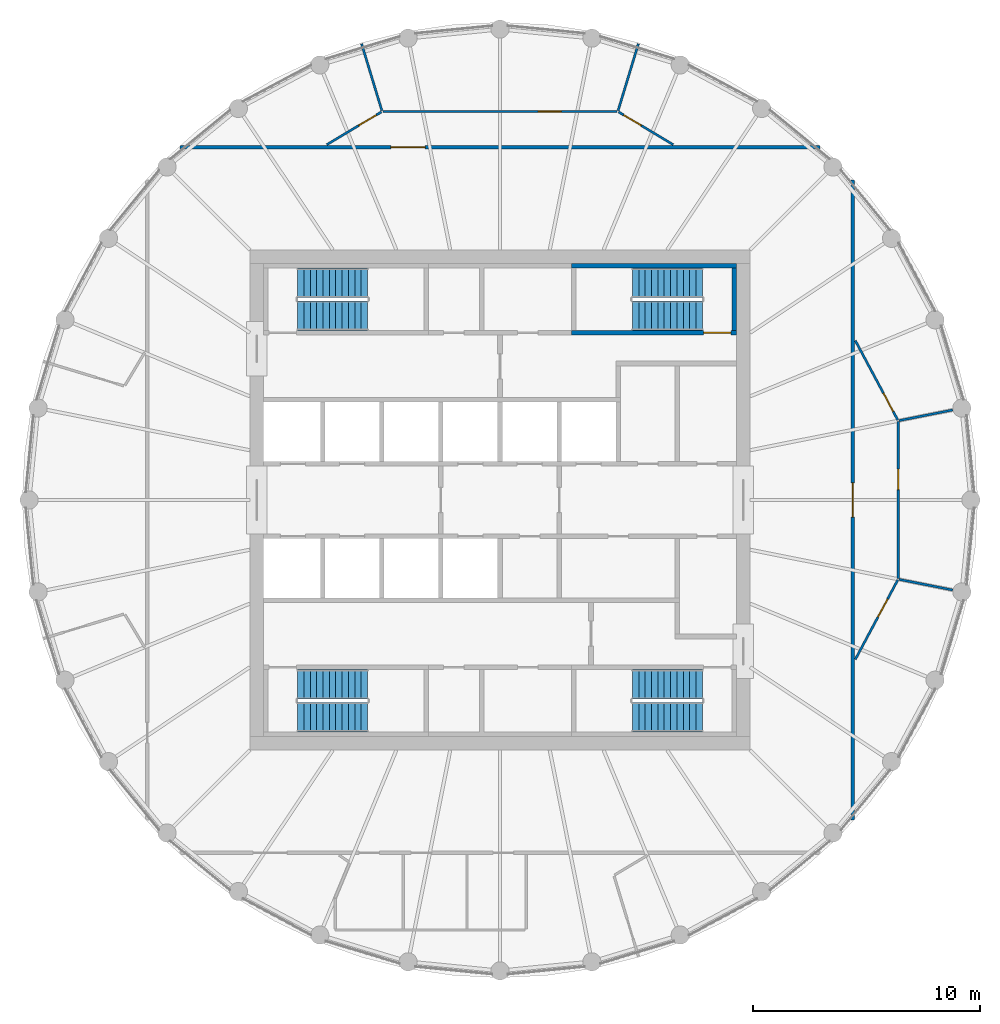
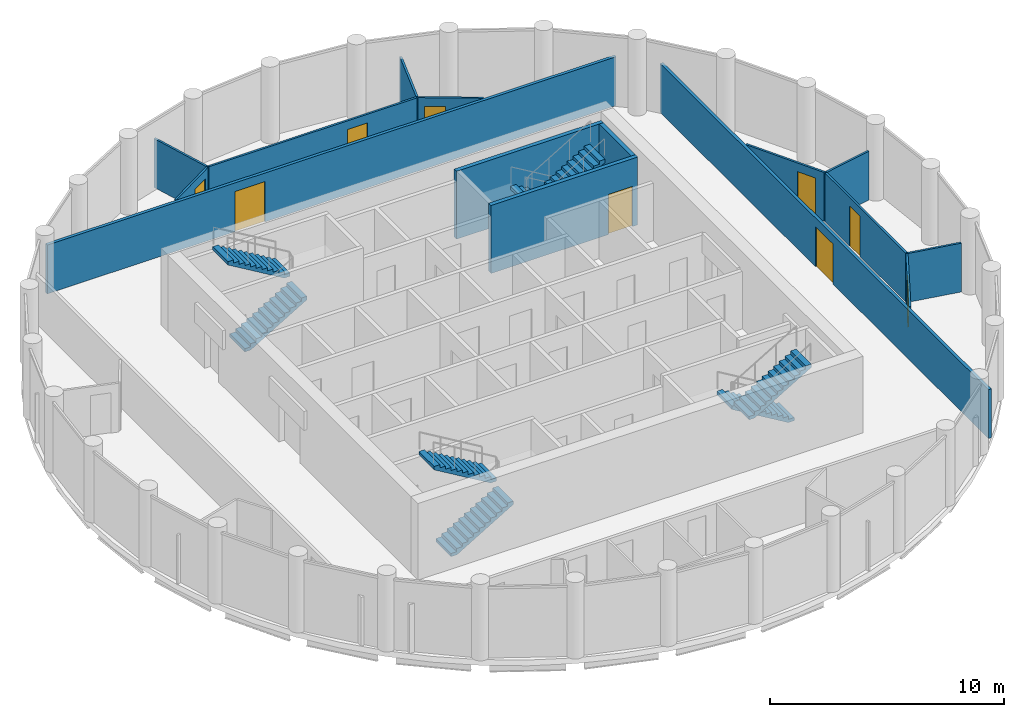
# One storey, part 6 of 7: 15 walls, 9 doors, 8 stair flights, 9 openings, 4 elements without a shape of their own.
"""IFC4 building model written with IfcOpenShell, lengths in metres."""

from ifc_helpers import new_model, si_unit, direction, frame, frame_2d, origin, place, context, subcontext, project, spatial, polyline, rectangle, outline, extrude, material, layer, layer_set, type_object, element, fill, aggregate, save


model = new_model("IFC4")

# Units and contexts
model_context = context("Model", 3, precision=1e-05, world=origin(), true_north=direction((0.0, 1.0)))
body_context = subcontext(model_context, "Body", "Model", "MODEL_VIEW")
ifc_project = project(units=[si_unit("LENGTHUNIT", "METRE"), si_unit("AREAUNIT", "SQUARE_METRE"), si_unit("VOLUMEUNIT", "CUBIC_METRE"), si_unit("PLANEANGLEUNIT", "RADIAN"), si_unit("MASSUNIT", "GRAM", prefix="KILO")], contexts=[model_context])

# Site, building, storey
site_placement = place(None, origin())
site = spatial("IfcSite", under=ifc_project, at=site_placement, CompositionType="ELEMENT")
building_placement = place(site_placement, origin())
building = spatial("IfcBuilding", under=site, at=building_placement, Name="Corvane Civic Tower", CompositionType="ELEMENT")
storey_placement = place(building_placement, frame((0.0, 0.0, 376.5)))
storey = spatial("IfcBuildingStorey", under=building, at=storey_placement, Name="L90", CompositionType="ELEMENT", Elevation=376.5)

# Wall, opening, door
ifc_material_1 = material(Name="Plasterboard")
ifc_layer_1 = layer(ifc_material_1, 0.10009765625)
ifc_layer_set_1 = layer_set([ifc_layer_1], Name="Plasterboard")
wall_type_1 = type_object("IfcWallType", Name="Partition 100 plasterboard on studs", PredefinedType="PARTITIONING", material=ifc_layer_set_1)
wall_1_placement = place(storey_placement, frame((15.619140625, -7.007080078125, 0.0), z_axis=(0.0, 0.0, 1.0), x_axis=(0.471410339005, 0.881913993697, 0.0)))
wall_1 = element("IfcWall", 1, at=wall_1_placement, inside=storey, type_object=wall_type_1, Name="Partition L90.013", PredefinedType="PARTITIONING", context=body_context, shape_type="SweptSolid", body=[
    extrude(rectangle(XDim=3.96044921875, YDim=0.10009765625, at=frame_2d((1.980224609375, 0.0))), origin(), (0.0, 0.0, 1.0), 2.550048828125),
])
opening_1_placement = place(wall_1_placement, frame((2.110107421875, 0.0, 0.0)))
opening_1 = element("IfcOpeningElement", 2, at=opening_1_placement, cuts=wall_1, Name="Opening L90.007", PredefinedType="OPENING", context=body_context, shape_type="SweptSolid", body=[
    extrude(rectangle(XDim=0.89990234375, YDim=2.10009765625, at=frame_2d((0.449951171875, 1.050048828125))), frame((0.0, 0.06005859375, 0.0), z_axis=(0.0, -1.0, 0.0), x_axis=(1.0, 0.0, 0.0)), (0.0, 0.0, 1.0), 0.1201171875),
])
ifc_material_2 = material(Name="Timber", Category="wood")
door_type_1 = type_object("IfcDoorType", Name="Single door 900", OperationType="NOTDEFINED", PredefinedType="DOOR", material=ifc_material_2)
door_1_placement = place(opening_1_placement, frame((0.89990234375, 0.0, 0.0), z_axis=(0.0, 0.0, 1.0), x_axis=(-1.0, 0.0, 0.0)))
door_1 = element("IfcDoor", 3, at=door_1_placement, inside=storey, type_object=door_type_1, Name="Door L90.007", OperationType="SINGLE_SWING_LEFT", OverallHeight=2.10009765625, OverallWidth=0.89990234375, PredefinedType="DOOR", context=body_context, shape_type="SweptSolid", body=[
    extrude(rectangle(XDim=0.89990234375, YDim=2.10009765625, at=frame_2d((0.449951171875, 1.050048828125))), frame((0.0, 0.02490234375, 0.0), z_axis=(0.0, -1.0, 0.0), x_axis=(1.0, 0.0, 0.0)), (0.0, 0.0, 1.0), 0.050048828125),
])
fill(opening_1, door_1)

# Wall
wall_2_placement = place(storey_placement, frame((17.543701171875, -3.48974609375, 0.0), z_axis=(0.0, 0.0, 1.0), x_axis=(0.980783378237, -0.195099884606, 0.0)))
element("IfcWall", 4, at=wall_2_placement, inside=storey, type_object=wall_type_1, Name="Partition L90.016", PredefinedType="PARTITIONING", context=body_context, shape_type="SweptSolid", body=[
    extrude(rectangle(XDim=2.402587890625, YDim=0.10009765625, at=frame_2d((1.201171875, 0.0))), origin(), (0.0, 0.0, 1.0), 2.550048828125),
])

# Wall, opening, door
wall_3_placement = place(storey_placement, frame((17.503662109375, -3.440673828125, 0.0), z_axis=(0.0, 0.0, 1.0), x_axis=(0.0, 1.0, 0.0)))
wall_3 = element("IfcWall", 5, at=wall_3_placement, inside=storey, type_object=wall_type_1, Name="Partition L90.017", PredefinedType="PARTITIONING", context=body_context, shape_type="SweptSolid", body=[
    extrude(rectangle(XDim=6.88134765625, YDim=0.10009765625, at=frame_2d((3.440673828125, 0.0))), origin(), (0.0, 0.0, 1.0), 2.550048828125),
])
opening_2_placement = place(wall_3_placement, frame((3.8974609375, 0.0, 0.0)))
opening_2 = element("IfcOpeningElement", 6, at=opening_2_placement, cuts=wall_3, Name="Opening L90.006", PredefinedType="OPENING", context=body_context, shape_type="SweptSolid", body=[
    extrude(rectangle(XDim=0.89990234375, YDim=2.10009765625, at=frame_2d((0.449951171875, 1.050048828125))), frame((0.0, 0.06005859375, 0.0), z_axis=(0.0, -1.0, 0.0), x_axis=(1.0, 0.0, 0.0)), (0.0, 0.0, 1.0), 0.1201171875),
])
door_2_placement = place(opening_2_placement, frame((0.89990234375, 0.0, 0.0), z_axis=(0.0, 0.0, 1.0), x_axis=(-1.0, 0.0, 0.0)))
door_2 = element("IfcDoor", 7, at=door_2_placement, inside=storey, type_object=door_type_1, Name="Door L90.006", OperationType="SINGLE_SWING_RIGHT", OverallHeight=2.10009765625, OverallWidth=0.89990234375, PredefinedType="DOOR", context=body_context, shape_type="SweptSolid", body=[
    extrude(rectangle(XDim=0.89990234375, YDim=2.10009765625, at=frame_2d((0.449951171875, 1.050048828125))), frame((0.0, 0.02490234375, 0.0), z_axis=(0.0, -1.0, 0.0), x_axis=(1.0, 0.0, 0.0)), (0.0, 0.0, 1.0), 0.050048828125),
])
fill(opening_2, door_2)

# Wall
wall_4_placement = place(storey_placement, frame((17.543701171875, 3.48974609375, 0.0), z_axis=(0.0, 0.0, 1.0), x_axis=(0.980783378237, 0.195099884606, 0.0)))
element("IfcWall", 8, at=wall_4_placement, inside=storey, type_object=wall_type_1, Name="Partition L90.018", PredefinedType="PARTITIONING", context=body_context, shape_type="SweptSolid", body=[
    extrude(rectangle(XDim=2.402587890625, YDim=0.10009765625, at=frame_2d((1.201171875, 0.0))), origin(), (0.0, 0.0, 1.0), 2.550048828125),
])

# Wall, opening, door
wall_5_placement = place(storey_placement, frame((15.619140625, 7.007080078125, 0.0), z_axis=(0.0, 0.0, 1.0), x_axis=(0.471410339005, -0.881913993697, 0.0)))
wall_5 = element("IfcWall", 9, at=wall_5_placement, inside=storey, type_object=wall_type_1, Name="Partition L90.019", PredefinedType="PARTITIONING", context=body_context, shape_type="SweptSolid", body=[
    extrude(rectangle(XDim=3.96044921875, YDim=0.10009765625, at=frame_2d((1.980224609375, 0.0))), origin(), (0.0, 0.0, 1.0), 2.550048828125),
])
opening_3_placement = place(wall_5_placement, frame((2.624267578125, 0.0, 0.0)))
opening_3 = element("IfcOpeningElement", 10, at=opening_3_placement, cuts=wall_5, Name="Opening L90.005", PredefinedType="OPENING", context=body_context, shape_type="SweptSolid", body=[
    extrude(rectangle(XDim=0.89990234375, YDim=2.10009765625, at=frame_2d((0.449951171875, 1.050048828125))), frame((0.0, 0.06005859375, 0.0), z_axis=(0.0, -1.0, 0.0), x_axis=(1.0, 0.0, 0.0)), (0.0, 0.0, 1.0), 0.1201171875),
])
door_3_placement = place(opening_3_placement, origin())
door_3 = element("IfcDoor", 11, at=door_3_placement, inside=storey, type_object=door_type_1, Name="Door L90.005", OperationType="SINGLE_SWING_LEFT", OverallHeight=2.10009765625, OverallWidth=0.89990234375, PredefinedType="DOOR", context=body_context, shape_type="SweptSolid", body=[
    extrude(rectangle(XDim=0.89990234375, YDim=2.10009765625, at=frame_2d((0.449951171875, 1.050048828125))), frame((0.0, 0.02490234375, 0.0), z_axis=(0.0, -1.0, 0.0), x_axis=(1.0, 0.0, 0.0)), (0.0, 0.0, 1.0), 0.050048828125),
])
fill(opening_3, door_3)

wall_6_placement = place(storey_placement, frame((-7.616455078125, 15.617919921875, 0.0), z_axis=(0.0, 0.0, 1.0), x_axis=(0.857723575737, 0.514111143262, 0.0)))
wall_6 = element("IfcWall", 12, at=wall_6_placement, inside=storey, type_object=wall_type_1, Name="Partition L90.023", PredefinedType="PARTITIONING", context=body_context, shape_type="SweptSolid", body=[
    extrude(rectangle(XDim=2.80078125, YDim=0.10009765625, at=frame_2d((1.400390625, 0.0))), origin(), (0.0, 0.0, 1.0), 2.550048828125),
])
opening_4_placement = place(wall_6_placement, frame((1.639892578125, 0.0, 0.0)))
opening_4 = element("IfcOpeningElement", 13, at=opening_4_placement, cuts=wall_6, Name="Opening L90.001", PredefinedType="OPENING", context=body_context, shape_type="SweptSolid", body=[
    extrude(rectangle(XDim=0.89990234375, YDim=2.10009765625, at=frame_2d((0.449951171875, 1.050048828125))), frame((0.0, 0.06005859375, 0.0), z_axis=(0.0, -1.0, 0.0), x_axis=(1.0, 0.0, 0.0)), (0.0, 0.0, 1.0), 0.1201171875),
])
door_4_placement = place(opening_4_placement, origin())
door_4 = element("IfcDoor", 14, at=door_4_placement, inside=storey, type_object=door_type_1, Name="Door L90.001", OperationType="SINGLE_SWING_LEFT", OverallHeight=2.10009765625, OverallWidth=0.89990234375, PredefinedType="DOOR", context=body_context, shape_type="SweptSolid", body=[
    extrude(rectangle(XDim=0.89990234375, YDim=2.10009765625, at=frame_2d((0.449951171875, 1.050048828125))), frame((0.0, 0.02490234375, 0.0), z_axis=(0.0, -1.0, 0.0), x_axis=(1.0, 0.0, 0.0)), (0.0, 0.0, 1.0), 0.050048828125),
])
fill(opening_4, door_4)

wall_7_placement = place(storey_placement, frame((5.214111328125, 17.057861328125, 0.0), z_axis=(0.0, 0.0, 1.0), x_axis=(0.857723575737, -0.514111143262, 0.0)))
wall_7 = element("IfcWall", 15, at=wall_7_placement, inside=storey, type_object=wall_type_1, Name="Partition L90.024", PredefinedType="PARTITIONING", context=body_context, shape_type="SweptSolid", body=[
    extrude(rectangle(XDim=2.80078125, YDim=0.10009765625, at=frame_2d((1.400390625, 0.0))), origin(), (0.0, 0.0, 1.0), 2.550048828125),
])
opening_5_placement = place(wall_7_placement, frame((0.260986328125, 0.0, 0.0)))
opening_5 = element("IfcOpeningElement", 16, at=opening_5_placement, cuts=wall_7, Name="Opening L90.003", PredefinedType="OPENING", context=body_context, shape_type="SweptSolid", body=[
    extrude(rectangle(XDim=0.89990234375, YDim=2.10009765625, at=frame_2d((0.449951171875, 1.050048828125))), frame((0.0, 0.06005859375, 0.0), z_axis=(0.0, -1.0, 0.0), x_axis=(1.0, 0.0, 0.0)), (0.0, 0.0, 1.0), 0.1201171875),
])
door_5_placement = place(opening_5_placement, origin())
door_5 = element("IfcDoor", 17, at=door_5_placement, inside=storey, type_object=door_type_1, Name="Door L90.003", OperationType="SINGLE_SWING_RIGHT", OverallHeight=2.10009765625, OverallWidth=0.89990234375, PredefinedType="DOOR", context=body_context, shape_type="SweptSolid", body=[
    extrude(rectangle(XDim=0.89990234375, YDim=2.10009765625, at=frame_2d((0.449951171875, 1.050048828125))), frame((0.0, 0.02490234375, 0.0), z_axis=(0.0, -1.0, 0.0), x_axis=(1.0, 0.0, 0.0)), (0.0, 0.0, 1.0), 0.050048828125),
])
fill(opening_5, door_5)

wall_8_placement = place(storey_placement, frame((-5.1435546875, 17.077880859375, 0.0), z_axis=(0.0, 0.0, 1.0), x_axis=(1.0, 0.0, 0.0)))
wall_8 = element("IfcWall", 18, at=wall_8_placement, inside=storey, type_object=wall_type_1, Name="Partition L90.025", PredefinedType="PARTITIONING", context=body_context, shape_type="SweptSolid", body=[
    extrude(rectangle(XDim=10.287109375, YDim=0.10009765625, at=frame_2d((5.1435546875, 0.0))), origin(), (0.0, 0.0, 1.0), 2.550048828125),
])
opening_6_placement = place(wall_8_placement, frame((6.833740234375, 0.0, 0.0)))
opening_6 = element("IfcOpeningElement", 19, at=opening_6_placement, cuts=wall_8, Name="Opening L90.002", PredefinedType="OPENING", context=body_context, shape_type="SweptSolid", body=[
    extrude(rectangle(XDim=1.0, YDim=2.10009765625, at=frame_2d((0.5, 1.050048828125))), frame((0.0, 0.06005859375, 0.0), z_axis=(0.0, -1.0, 0.0), x_axis=(1.0, 0.0, 0.0)), (0.0, 0.0, 1.0), 0.1201171875),
])
ifc_material_3 = material(Name="Timber", Category="wood")
door_type_2 = type_object("IfcDoorType", Name="Single door 1000", OperationType="NOTDEFINED", PredefinedType="DOOR", material=ifc_material_3)
door_6_placement = place(opening_6_placement, origin())
door_6 = element("IfcDoor", 20, at=door_6_placement, inside=storey, type_object=door_type_2, Name="Door L90.002", OperationType="SINGLE_SWING_LEFT", OverallHeight=2.10009765625, OverallWidth=1.0, PredefinedType="DOOR", context=body_context, shape_type="SweptSolid", body=[
    extrude(rectangle(XDim=1.0, YDim=2.10009765625, at=frame_2d((0.5, 1.050048828125))), frame((0.0, 0.02490234375, 0.0), z_axis=(0.0, -1.0, 0.0), x_axis=(1.0, 0.0, 0.0)), (0.0, 0.0, 1.0), 0.050048828125),
])
fill(opening_6, door_6)

# Walls
for number, where, z_axis, x_axis, name in (
    (21, (-6.08154296875, 20.048095703125, 0.0), (0.0, 0.0, 1.0), (0.290277111957, -0.956942630608, 0.0), "Partition L90.026"),
    (22, (5.19189453125, 17.115234375, 0.0), (0.0, 0.0, 1.0), (0.290277111957, 0.956942630608, 0.0), "Partition L90.027"),
):
    element("IfcWall", number, at=place(storey_placement, frame(where, z_axis=z_axis, x_axis=x_axis)), inside=storey, type_object=wall_type_1, Name=name, PredefinedType="PARTITIONING", context=body_context, shape_type="SweptSolid", body=[
        extrude(rectangle(XDim=3.06494140625, YDim=0.10009765625, at=frame_2d((1.532470703125, 0.0))), origin(), (0.0, 0.0, 1.0), 2.550048828125),
    ])

# Wall, opening, door
ifc_material_4 = material(Name="Concrete C50/60", Category="concrete")
ifc_layer_2 = layer(ifc_material_4, 0.199951171875)
ifc_layer_set_2 = layer_set([ifc_layer_2], Name="Concrete C50/60")
wall_type_2 = type_object("IfcWallType", Name="ST-WALL-200", PredefinedType="SHEAR", material=ifc_layer_set_2)
wall_9_placement = place(storey_placement, frame((3.14990234375, 7.35009765625, 0.0), z_axis=(0.0, 0.0, 1.0), x_axis=(1.0, 0.0, 0.0)))
wall_9 = element("IfcWall", 23, at=wall_9_placement, inside=storey, type_object=wall_type_2, Name="L90 stair enclosure wall", PredefinedType="SHEAR", context=body_context, shape_type="SweptSolid", body=[
    extrude(rectangle(XDim=7.25, YDim=0.199951171875, at=frame_2d((3.625, 0.0))), origin(), (0.0, 0.0, 1.0), 3.550048828125),
])
opening_7_placement = place(wall_9_placement, frame((5.800048828125, 0.0, 0.0)))
opening_7 = element("IfcOpeningElement", 24, at=opening_7_placement, cuts=wall_9, Name="Opening L90.C10", PredefinedType="OPENING", context=body_context, shape_type="SweptSolid", body=[
    extrude(rectangle(XDim=1.199951171875, YDim=2.10009765625, at=frame_2d((0.60009765625, 1.050048828125))), frame((0.0, 0.10986328125, 0.0), z_axis=(0.0, -1.0, 0.0), x_axis=(1.0, 0.0, 0.0)), (0.0, 0.0, 1.0), 0.219970703125),
])
ifc_material_5 = material(Name="Steel fire door leaf", Category="steel")
door_type_3 = type_object("IfcDoorType", Name="ST-DOOR-1200", OperationType="SINGLE_SWING_RIGHT", PredefinedType="DOOR", material=ifc_material_5)
door_7_placement = place(opening_7_placement, origin())
door_7 = element("IfcDoor", 25, at=door_7_placement, inside=storey, type_object=door_type_3, Name="L90 stair door", OperationType="SINGLE_SWING_RIGHT", OverallHeight=2.10009765625, OverallWidth=1.199951171875, PredefinedType="DOOR", context=body_context, shape_type="SweptSolid", body=[
    extrude(rectangle(XDim=1.199951171875, YDim=2.10009765625, at=frame_2d((0.60009765625, 1.050048828125))), frame((0.0, 0.02490234375, 0.0), z_axis=(0.0, -1.0, 0.0), x_axis=(1.0, 0.0, 0.0)), (0.0, 0.0, 1.0), 0.050048828125),
])
fill(opening_7, door_7)

# Walls
wall_10_placement = place(storey_placement, origin())
element("IfcWall", 26, at=wall_10_placement, inside=storey, type_object=wall_type_2, Name="L90 stair enclosure wall", PredefinedType="SHEAR", context=body_context, shape_type="SweptSolid", body=[
    extrude(outline(polyline([(10.39990234375, 10.199951171875), (3.14990234375, 10.199951171875), (3.14990234375, 10.39990234375), (10.39990234375, 10.39990234375), (10.39990234375, 10.199951171875)])), origin(), (0.0, 0.0, 1.0), 3.550048828125),
])
wall_11_placement = place(storey_placement, origin())
element("IfcWall", 27, at=wall_11_placement, inside=storey, type_object=wall_type_2, Name="L90 stair enclosure wall", PredefinedType="SHEAR", context=body_context, shape_type="SweptSolid", body=[
    extrude(outline(polyline([(10.39990234375, 7.449951171875), (10.199951171875, 7.449951171875), (10.199951171875, 10.199951171875), (10.39990234375, 10.199951171875), (10.39990234375, 7.449951171875)])), origin(), (0.0, 0.0, 1.0), 3.550048828125),
])

# Wall, opening, door
ifc_material_6 = material(Name="Plasterboard")
ifc_layer_3 = layer(ifc_material_6, 0.14990234375)
ifc_layer_set_3 = layer_set([ifc_layer_3], Name="Plasterboard")
wall_type_3 = type_object("IfcWallType", Name="Tenancy wall 150 EI 60", PredefinedType="PARTITIONING", material=ifc_layer_set_3)
wall_12_placement = place(storey_placement, frame((15.5, -14.05712890625, 0.0), z_axis=(0.0, 0.0, 1.0), x_axis=(0.0, 1.0, 0.0)))
wall_12 = element("IfcWall", 28, at=wall_12_placement, inside=storey, type_object=wall_type_3, Name="Partition L90.012", PredefinedType="PARTITIONING", context=body_context, shape_type="SweptSolid", body=[
    extrude(rectangle(XDim=28.1142578125, YDim=0.14990234375, at=frame_2d((14.05712890625, 0.0))), origin(), (0.0, 0.0, 1.0), 2.550048828125),
])
opening_8_placement = place(wall_12_placement, frame((13.30712890625, 0.0, 0.0)))
opening_8 = element("IfcOpeningElement", 29, at=opening_8_placement, cuts=wall_12, Name="Opening L90.008", PredefinedType="OPENING", context=body_context, shape_type="SweptSolid", body=[
    extrude(rectangle(XDim=1.5, YDim=2.10009765625, at=frame_2d((0.75, 1.050048828125))), frame((0.0, 0.0849609375, 0.0), z_axis=(0.0, -1.0, 0.0), x_axis=(1.0, 0.0, 0.0)), (0.0, 0.0, 1.0), 0.169921875),
])
ifc_material_7 = material(Name="Steel and timber", Category="steel")
door_type_4 = type_object("IfcDoorType", Name="Fire door FD60 double 1500", OperationType="NOTDEFINED", PredefinedType="DOOR", material=ifc_material_7)
door_8_placement = place(opening_8_placement, frame((1.5, 0.0, 0.0), z_axis=(0.0, 0.0, 1.0), x_axis=(-1.0, 0.0, 0.0)))
door_8 = element("IfcDoor", 30, at=door_8_placement, inside=storey, type_object=door_type_4, Name="Door L90.008", OperationType="DOUBLE_DOOR_SINGLE_SWING", OverallHeight=2.10009765625, OverallWidth=1.5, PredefinedType="DOOR", context=body_context, shape_type="SweptSolid", body=[
    extrude(rectangle(XDim=1.5, YDim=2.10009765625, at=frame_2d((0.75, 1.050048828125))), frame((0.0, 0.02490234375, 0.0), z_axis=(0.0, -1.0, 0.0), x_axis=(1.0, 0.0, 0.0)), (0.0, 0.0, 1.0), 0.050048828125),
])
fill(opening_8, door_8)

wall_13_placement = place(storey_placement, frame((-14.05712890625, 15.5, 0.0), z_axis=(0.0, 0.0, 1.0), x_axis=(1.0, 0.0, 0.0)))
wall_13 = element("IfcWall", 31, at=wall_13_placement, inside=storey, type_object=wall_type_3, Name="Partition L90.022", PredefinedType="PARTITIONING", context=body_context, shape_type="SweptSolid", body=[
    extrude(rectangle(XDim=28.1142578125, YDim=0.14990234375, at=frame_2d((14.05712890625, 0.0))), origin(), (0.0, 0.0, 1.0), 2.550048828125),
])
opening_9_placement = place(wall_13_placement, frame((9.263916015625, 0.0, 0.0)))
opening_9 = element("IfcOpeningElement", 32, at=opening_9_placement, cuts=wall_13, Name="Opening L90.004", PredefinedType="OPENING", context=body_context, shape_type="SweptSolid", body=[
    extrude(rectangle(XDim=1.5, YDim=2.10009765625, at=frame_2d((0.75, 1.050048828125))), frame((0.0, 0.0849609375, 0.0), z_axis=(0.0, -1.0, 0.0), x_axis=(1.0, 0.0, 0.0)), (0.0, 0.0, 1.0), 0.169921875),
])
door_9_placement = place(opening_9_placement, origin())
door_9 = element("IfcDoor", 33, at=door_9_placement, inside=storey, type_object=door_type_4, Name="Door L90.004", OperationType="DOUBLE_DOOR_SINGLE_SWING", OverallHeight=2.10009765625, OverallWidth=1.5, PredefinedType="DOOR", context=body_context, shape_type="SweptSolid", body=[
    extrude(rectangle(XDim=1.5, YDim=2.10009765625, at=frame_2d((0.75, 1.050048828125))), frame((0.0, 0.02490234375, 0.0), z_axis=(0.0, -1.0, 0.0), x_axis=(1.0, 0.0, 0.0)), (0.0, 0.0, 1.0), 0.050048828125),
])
fill(opening_9, door_9)

# Stair, stair flights
ifc_material_8 = material(Name="Concrete C40/50", Category="concrete")
stair_type = type_object("IfcStairType", Name="ST-STAIR-HALFTURN", PredefinedType="HALF_TURN_STAIR", material=ifc_material_8)
stair_1_placement = place(storey_placement, origin())
stair_1 = element("IfcStair", 34, at=stair_1_placement, inside=storey, type_object=stair_type, Name="L90 Exit stair ST1", PredefinedType="HALF_TURN_STAIR")
ifc_material_9 = material(Name="Concrete C40/50", Category="concrete")
stair_flight_type = type_object("IfcStairFlightType", Name="ST-FLIGHT-RC", PredefinedType="STRAIGHT", material=ifc_material_9)
stair_flight_1_placement = place(storey_placement, frame((8.89990234375, 9.550048828125, 0.0), z_axis=(0.0, 0.0, 1.0), x_axis=(-1.0, 0.0, 0.0)))
stair_flight_1 = element("IfcStairFlight", 35, at=stair_flight_1_placement, type_object=stair_flight_type, Name="ST1 flight 1", NumberOfRisers=12, NumberOfTreads=11, PredefinedType="STRAIGHT", RiserHeight=0.166666667, TreadLength=0.28, context=body_context, shape_type="SweptSolid", body=[
    extrude(outline(polyline([(0.0, 0.0), (0.0, 0.166748046875), (0.280029296875, 0.166748046875), (0.280029296875, 0.333251953125), (0.56005859375, 0.333251953125), (0.56005859375, 0.5), (0.840087890625, 0.5), (0.840087890625, 0.666748046875), (1.1201171875, 0.666748046875), (1.1201171875, 0.833251953125), (1.39990234375, 0.833251953125), (1.39990234375, 1.0), (1.679931640625, 1.0), (1.679931640625, 1.166748046875), (1.9599609375, 1.166748046875), (1.9599609375, 1.333251953125), (2.239990234375, 1.333251953125), (2.239990234375, 1.5), (2.52001953125, 1.5), (2.52001953125, 1.666748046875), (2.800048828125, 1.666748046875), (2.800048828125, 1.833251953125), (3.080078125, 1.833251953125), (3.080078125, 2.0), (3.080078125, 1.658935546875), (0.29296875, 0.0), (0.0, 0.0)])), frame((0.0, 0.64990234375, 0.0), z_axis=(0.0, -1.0, 0.0), x_axis=(1.0, 0.0, 0.0)), (0.0, 0.0, 1.0), 1.300048828125),
])
stair_flight_2_placement = place(storey_placement, frame((5.820068359375, 8.10009765625, 2.0), z_axis=(0.0, 0.0, 1.0), x_axis=(1.0, 0.0, 0.0)))
stair_flight_2 = element("IfcStairFlight", 36, at=stair_flight_2_placement, type_object=stair_flight_type, Name="ST1 flight 2", NumberOfRisers=12, NumberOfTreads=11, PredefinedType="STRAIGHT", RiserHeight=0.166666667, TreadLength=0.28, context=body_context, shape_type="SweptSolid", body=[
    extrude(outline(polyline([(0.0, 0.0), (0.0, 0.166748046875), (0.280029296875, 0.166748046875), (0.280029296875, 0.333251953125), (0.56005859375, 0.333251953125), (0.56005859375, 0.5), (0.840087890625, 0.5), (0.840087890625, 0.666748046875), (1.1201171875, 0.666748046875), (1.1201171875, 0.833251953125), (1.39990234375, 0.833251953125), (1.39990234375, 1.0), (1.679931640625, 1.0), (1.679931640625, 1.166748046875), (1.9599609375, 1.166748046875), (1.9599609375, 1.333251953125), (2.239990234375, 1.333251953125), (2.239990234375, 1.5), (2.52001953125, 1.5), (2.52001953125, 1.666748046875), (2.800048828125, 1.666748046875), (2.800048828125, 1.833251953125), (3.080078125, 1.833251953125), (3.080078125, 2.0), (3.080078125, 1.658935546875), (0.29296875, 0.0), (0.0, 0.0)])), frame((0.0, 0.64990234375, 0.0), z_axis=(0.0, -1.0, 0.0), x_axis=(1.0, 0.0, 0.0)), (0.0, 0.0, 1.0), 1.300048828125),
])
aggregate(stair_1, [stair_flight_1, stair_flight_2])

stair_2_placement = place(storey_placement, origin())
stair_2 = element("IfcStair", 37, at=stair_2_placement, inside=storey, type_object=stair_type, Name="L90 Exit stair ST2", PredefinedType="HALF_TURN_STAIR")
stair_flight_3_placement = place(storey_placement, frame((8.89990234375, -8.10009765625, 0.0), z_axis=(0.0, 0.0, 1.0), x_axis=(-1.0, 0.0, 0.0)))
stair_flight_3 = element("IfcStairFlight", 38, at=stair_flight_3_placement, type_object=stair_flight_type, Name="ST2 flight 1", NumberOfRisers=12, NumberOfTreads=11, PredefinedType="STRAIGHT", RiserHeight=0.166666667, TreadLength=0.28, context=body_context, shape_type="SweptSolid", body=[
    extrude(outline(polyline([(0.0, 0.0), (0.0, 0.166748046875), (0.280029296875, 0.166748046875), (0.280029296875, 0.333251953125), (0.56005859375, 0.333251953125), (0.56005859375, 0.5), (0.840087890625, 0.5), (0.840087890625, 0.666748046875), (1.1201171875, 0.666748046875), (1.1201171875, 0.833251953125), (1.39990234375, 0.833251953125), (1.39990234375, 1.0), (1.679931640625, 1.0), (1.679931640625, 1.166748046875), (1.9599609375, 1.166748046875), (1.9599609375, 1.333251953125), (2.239990234375, 1.333251953125), (2.239990234375, 1.5), (2.52001953125, 1.5), (2.52001953125, 1.666748046875), (2.800048828125, 1.666748046875), (2.800048828125, 1.833251953125), (3.080078125, 1.833251953125), (3.080078125, 2.0), (3.080078125, 1.658935546875), (0.29296875, 0.0), (0.0, 0.0)])), frame((0.0, 0.64990234375, 0.0), z_axis=(0.0, -1.0, 0.0), x_axis=(1.0, 0.0, 0.0)), (0.0, 0.0, 1.0), 1.300048828125),
])
stair_flight_4_placement = place(storey_placement, frame((5.820068359375, -9.550048828125, 2.0), z_axis=(0.0, 0.0, 1.0), x_axis=(1.0, 0.0, 0.0)))
stair_flight_4 = element("IfcStairFlight", 39, at=stair_flight_4_placement, type_object=stair_flight_type, Name="ST2 flight 2", NumberOfRisers=12, NumberOfTreads=11, PredefinedType="STRAIGHT", RiserHeight=0.166666667, TreadLength=0.28, context=body_context, shape_type="SweptSolid", body=[
    extrude(outline(polyline([(0.0, 0.0), (0.0, 0.166748046875), (0.280029296875, 0.166748046875), (0.280029296875, 0.333251953125), (0.56005859375, 0.333251953125), (0.56005859375, 0.5), (0.840087890625, 0.5), (0.840087890625, 0.666748046875), (1.1201171875, 0.666748046875), (1.1201171875, 0.833251953125), (1.39990234375, 0.833251953125), (1.39990234375, 1.0), (1.679931640625, 1.0), (1.679931640625, 1.166748046875), (1.9599609375, 1.166748046875), (1.9599609375, 1.333251953125), (2.239990234375, 1.333251953125), (2.239990234375, 1.5), (2.52001953125, 1.5), (2.52001953125, 1.666748046875), (2.800048828125, 1.666748046875), (2.800048828125, 1.833251953125), (3.080078125, 1.833251953125), (3.080078125, 2.0), (3.080078125, 1.658935546875), (0.29296875, 0.0), (0.0, 0.0)])), frame((0.0, 0.64990234375, 0.0), z_axis=(0.0, -1.0, 0.0), x_axis=(1.0, 0.0, 0.0)), (0.0, 0.0, 1.0), 1.300048828125),
])
aggregate(stair_2, [stair_flight_3, stair_flight_4])

stair_3_placement = place(storey_placement, origin())
stair_3 = element("IfcStair", 40, at=stair_3_placement, inside=storey, type_object=stair_type, Name="L90 Exit stair ST3", PredefinedType="HALF_TURN_STAIR")
stair_flight_5_placement = place(storey_placement, frame((-8.89990234375, -9.550048828125, 0.0), z_axis=(0.0, 0.0, 1.0), x_axis=(1.0, 0.0, 0.0)))
stair_flight_5 = element("IfcStairFlight", 41, at=stair_flight_5_placement, type_object=stair_flight_type, Name="ST3 flight 1", NumberOfRisers=12, NumberOfTreads=11, PredefinedType="STRAIGHT", RiserHeight=0.166666667, TreadLength=0.28, context=body_context, shape_type="SweptSolid", body=[
    extrude(outline(polyline([(0.0, 0.0), (0.0, 0.166748046875), (0.280029296875, 0.166748046875), (0.280029296875, 0.333251953125), (0.56005859375, 0.333251953125), (0.56005859375, 0.5), (0.840087890625, 0.5), (0.840087890625, 0.666748046875), (1.1201171875, 0.666748046875), (1.1201171875, 0.833251953125), (1.39990234375, 0.833251953125), (1.39990234375, 1.0), (1.679931640625, 1.0), (1.679931640625, 1.166748046875), (1.9599609375, 1.166748046875), (1.9599609375, 1.333251953125), (2.239990234375, 1.333251953125), (2.239990234375, 1.5), (2.52001953125, 1.5), (2.52001953125, 1.666748046875), (2.800048828125, 1.666748046875), (2.800048828125, 1.833251953125), (3.080078125, 1.833251953125), (3.080078125, 2.0), (3.080078125, 1.658935546875), (0.29296875, 0.0), (0.0, 0.0)])), frame((0.0, 0.64990234375, 0.0), z_axis=(0.0, -1.0, 0.0), x_axis=(1.0, 0.0, 0.0)), (0.0, 0.0, 1.0), 1.300048828125),
])
stair_flight_6_placement = place(storey_placement, frame((-5.820068359375, -8.10009765625, 2.0), z_axis=(0.0, 0.0, 1.0), x_axis=(-1.0, 0.0, 0.0)))
stair_flight_6 = element("IfcStairFlight", 42, at=stair_flight_6_placement, type_object=stair_flight_type, Name="ST3 flight 2", NumberOfRisers=12, NumberOfTreads=11, PredefinedType="STRAIGHT", RiserHeight=0.166666667, TreadLength=0.28, context=body_context, shape_type="SweptSolid", body=[
    extrude(outline(polyline([(0.0, 0.0), (0.0, 0.166748046875), (0.280029296875, 0.166748046875), (0.280029296875, 0.333251953125), (0.56005859375, 0.333251953125), (0.56005859375, 0.5), (0.840087890625, 0.5), (0.840087890625, 0.666748046875), (1.1201171875, 0.666748046875), (1.1201171875, 0.833251953125), (1.39990234375, 0.833251953125), (1.39990234375, 1.0), (1.679931640625, 1.0), (1.679931640625, 1.166748046875), (1.9599609375, 1.166748046875), (1.9599609375, 1.333251953125), (2.239990234375, 1.333251953125), (2.239990234375, 1.5), (2.52001953125, 1.5), (2.52001953125, 1.666748046875), (2.800048828125, 1.666748046875), (2.800048828125, 1.833251953125), (3.080078125, 1.833251953125), (3.080078125, 2.0), (3.080078125, 1.658935546875), (0.29296875, 0.0), (0.0, 0.0)])), frame((0.0, 0.64990234375, 0.0), z_axis=(0.0, -1.0, 0.0), x_axis=(1.0, 0.0, 0.0)), (0.0, 0.0, 1.0), 1.300048828125),
])
aggregate(stair_3, [stair_flight_5, stair_flight_6])

stair_4_placement = place(storey_placement, origin())
stair_4 = element("IfcStair", 43, at=stair_4_placement, inside=storey, type_object=stair_type, Name="L90 Exit stair ST4", PredefinedType="HALF_TURN_STAIR")
stair_flight_7_placement = place(storey_placement, frame((-8.89990234375, 8.10009765625, 0.0), z_axis=(0.0, 0.0, 1.0), x_axis=(1.0, 0.0, 0.0)))
stair_flight_7 = element("IfcStairFlight", 44, at=stair_flight_7_placement, type_object=stair_flight_type, Name="ST4 flight 1", NumberOfRisers=12, NumberOfTreads=11, PredefinedType="STRAIGHT", RiserHeight=0.166666667, TreadLength=0.28, context=body_context, shape_type="SweptSolid", body=[
    extrude(outline(polyline([(0.0, 0.0), (0.0, 0.166748046875), (0.280029296875, 0.166748046875), (0.280029296875, 0.333251953125), (0.56005859375, 0.333251953125), (0.56005859375, 0.5), (0.840087890625, 0.5), (0.840087890625, 0.666748046875), (1.1201171875, 0.666748046875), (1.1201171875, 0.833251953125), (1.39990234375, 0.833251953125), (1.39990234375, 1.0), (1.679931640625, 1.0), (1.679931640625, 1.166748046875), (1.9599609375, 1.166748046875), (1.9599609375, 1.333251953125), (2.239990234375, 1.333251953125), (2.239990234375, 1.5), (2.52001953125, 1.5), (2.52001953125, 1.666748046875), (2.800048828125, 1.666748046875), (2.800048828125, 1.833251953125), (3.080078125, 1.833251953125), (3.080078125, 2.0), (3.080078125, 1.658935546875), (0.29296875, 0.0), (0.0, 0.0)])), frame((0.0, 0.64990234375, 0.0), z_axis=(0.0, -1.0, 0.0), x_axis=(1.0, 0.0, 0.0)), (0.0, 0.0, 1.0), 1.300048828125),
])
stair_flight_8_placement = place(storey_placement, frame((-5.820068359375, 9.550048828125, 2.0), z_axis=(0.0, 0.0, 1.0), x_axis=(-1.0, 0.0, 0.0)))
stair_flight_8 = element("IfcStairFlight", 45, at=stair_flight_8_placement, type_object=stair_flight_type, Name="ST4 flight 2", NumberOfRisers=12, NumberOfTreads=11, PredefinedType="STRAIGHT", RiserHeight=0.166666667, TreadLength=0.28, context=body_context, shape_type="SweptSolid", body=[
    extrude(outline(polyline([(0.0, 0.0), (0.0, 0.166748046875), (0.280029296875, 0.166748046875), (0.280029296875, 0.333251953125), (0.56005859375, 0.333251953125), (0.56005859375, 0.5), (0.840087890625, 0.5), (0.840087890625, 0.666748046875), (1.1201171875, 0.666748046875), (1.1201171875, 0.833251953125), (1.39990234375, 0.833251953125), (1.39990234375, 1.0), (1.679931640625, 1.0), (1.679931640625, 1.166748046875), (1.9599609375, 1.166748046875), (1.9599609375, 1.333251953125), (2.239990234375, 1.333251953125), (2.239990234375, 1.5), (2.52001953125, 1.5), (2.52001953125, 1.666748046875), (2.800048828125, 1.666748046875), (2.800048828125, 1.833251953125), (3.080078125, 1.833251953125), (3.080078125, 2.0), (3.080078125, 1.658935546875), (0.29296875, 0.0), (0.0, 0.0)])), frame((0.0, 0.64990234375, 0.0), z_axis=(0.0, -1.0, 0.0), x_axis=(1.0, 0.0, 0.0)), (0.0, 0.0, 1.0), 1.300048828125),
])
aggregate(stair_4, [stair_flight_7, stair_flight_8])

save(model, "model.ifc")
